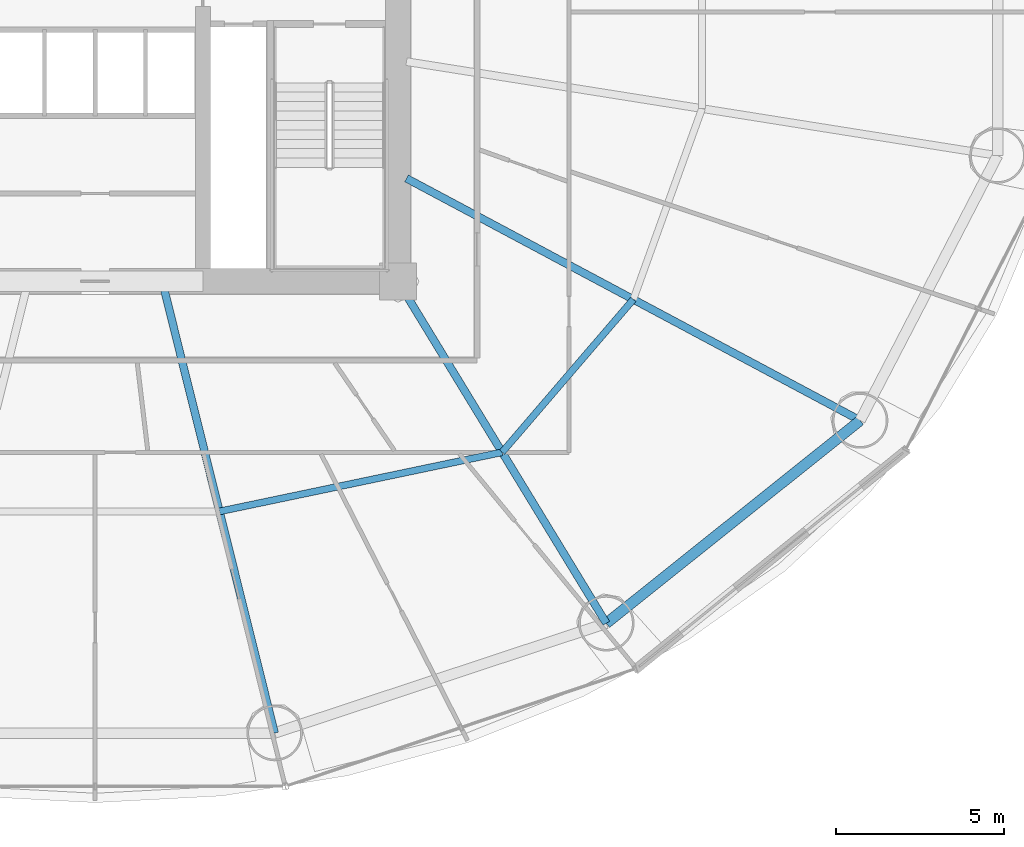
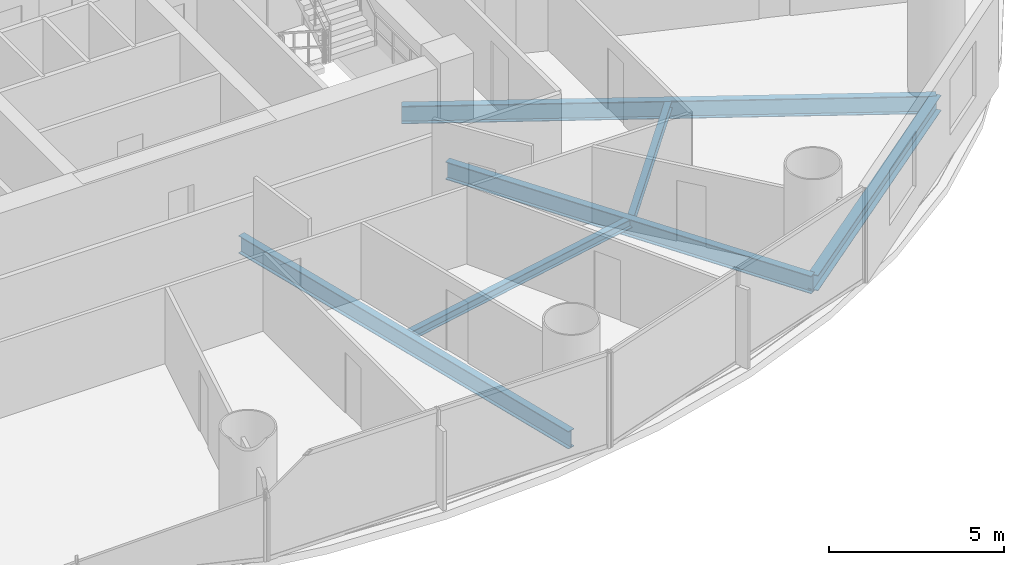
# One storey, part 12 of 30: 6 beams.
"""IFC4 building model written with IfcOpenShell, lengths in metres."""

from ifc_helpers import new_model, si_unit, direction, frame, origin, origin_2d, place, context, subcontext, project, spatial, i_section, extrude, material, material_profile, profile_set, type_object, element, save


model = new_model("IFC4")

# Units and contexts
model_context = context("Model", 3, precision=1e-05, world=origin(), true_north=direction((-0.2419218956, 0.970295726276)))
body_context = subcontext(model_context, "Body", "Model", "MODEL_VIEW")
ifc_project = project(units=[si_unit("LENGTHUNIT", "METRE"), si_unit("AREAUNIT", "SQUARE_METRE"), si_unit("VOLUMEUNIT", "CUBIC_METRE"), si_unit("PLANEANGLEUNIT", "RADIAN"), si_unit("MASSUNIT", "GRAM", prefix="KILO")], contexts=[model_context])

# Site, building, storey
site_placement = place(None, origin())
site = spatial("IfcSite", under=ifc_project, at=site_placement, CompositionType="ELEMENT")
building_placement = place(site_placement, origin())
building = spatial("IfcBuilding", under=site, at=building_placement, Name="Cobrevalo Terracotta Tower", CompositionType="ELEMENT")
storey_placement = place(building_placement, frame((0.0, 0.0, 60.0)))
storey = spatial("IfcBuildingStorey", under=building, at=storey_placement, Name="L15", CompositionType="ELEMENT", Elevation=60.0)

# Beams
ifc_material = material(Name="Steel S355", Category="steel")
ifc_material_profile_1 = material_profile(ifc_material, i_section(OverallWidth=0.22998046875, OverallDepth=0.616943359375, WebThickness=0.01318359375, FlangeThickness=0.022216796875, at=origin_2d()), Name="W 610x140")
ifc_profile_set_1 = profile_set([ifc_material_profile_1], Name="Steel S355")
beam_type_1 = type_object("IfcBeamType", Name="Structural Beam W 610x140 (Steel S355)", PredefinedType="BEAM", material=ifc_profile_set_1)
beam_1_placement = place(storey_placement, frame((43.335693359375, 5.369873046875, -0.58837890625), z_axis=(-0.241600470374, 0.970375810042, 0.0), x_axis=(-0.970375810042, -0.241600470374, 0.0)))
element("IfcBeam", 1, at=beam_1_placement, inside=storey, type_object=beam_type_1, Name="L15 radial floor girder 13", PredefinedType="BEAM", context=body_context, shape_type="SweptSolid", body=[
    extrude(i_section(OverallWidth=0.22998046875, OverallDepth=0.616943359375, WebThickness=0.01318359375, FlangeThickness=0.022216796875, at=origin_2d()), origin(), (0.0, 0.0, 1.0), 13.5771484375),
])
beam_2_placement = place(storey_placement, frame((53.19482421875, 8.63232421875, -0.58837890625), z_axis=(-0.520300780853, 0.853983077961, 0.0), x_axis=(-0.853983077961, -0.520300780853, 0.0)))
element("IfcBeam", 2, at=beam_2_placement, inside=storey, type_object=beam_type_1, Name="L15 radial floor girder 14", PredefinedType="BEAM", context=body_context, shape_type="SweptSolid", body=[
    extrude(i_section(OverallWidth=0.22998046875, OverallDepth=0.616943359375, WebThickness=0.01318359375, FlangeThickness=0.022216796875, at=origin_2d()), origin(), (0.0, 0.0, 1.0), 11.90625),
])
beam_3_placement = place(storey_placement, frame((60.74072265625, 14.660888671875, -0.58837890625), z_axis=(-0.88218223571, 0.470908168329, 0.0), x_axis=(-0.470908168329, -0.88218223571, 0.0)))
element("IfcBeam", 3, at=beam_3_placement, inside=storey, type_object=beam_type_1, Name="L15 radial floor girder 15", PredefinedType="BEAM", context=body_context, shape_type="SweptSolid", body=[
    extrude(i_section(OverallWidth=0.22998046875, OverallDepth=0.616943359375, WebThickness=0.01318359375, FlangeThickness=0.022216796875, at=origin_2d()), origin(), (0.0, 0.0, 1.0), 15.286865234375),
])
ifc_material_profile_2 = material_profile(ifc_material, i_section(OverallWidth=0.2041015625, OverallDepth=0.305908203125, WebThickness=0.008544921875, FlangeThickness=0.0146484375, at=origin_2d()), Name="W 310x67")
ifc_profile_set_2 = profile_set([ifc_material_profile_2], Name="Steel S355")
beam_type_2 = type_object("IfcBeamType", Name="Structural Joist W 310x67 (Steel S355)", PredefinedType="JOIST", material=ifc_profile_set_2)
beam_4_placement = place(storey_placement, frame((41.695556640625, 11.95751953125, -0.43310546875), z_axis=(0.978784523904, 0.204892302848, 0.0), x_axis=(-0.204892302848, 0.978784523904, 0.0)))
element("IfcBeam", 4, at=beam_4_placement, inside=storey, type_object=beam_type_2, Name="L15 circumferential secondary floor joist 13", PredefinedType="JOIST", context=body_context, shape_type="SweptSolid", body=[
    extrude(i_section(OverallWidth=0.2041015625, OverallDepth=0.305908203125, WebThickness=0.008544921875, FlangeThickness=0.0146484375, at=origin_2d()), origin(), (0.0, 0.0, 1.0), 8.583984375),
])
beam_5_placement = place(storey_placement, frame((50.097412109375, 13.71630859375, -0.43310546875), z_axis=(0.651328404454, 0.758795960421, 0.0), x_axis=(-0.758795960421, 0.651328404454, 0.0)))
element("IfcBeam", 5, at=beam_5_placement, inside=storey, type_object=beam_type_2, Name="L15 circumferential secondary floor joist 14", PredefinedType="JOIST", context=body_context, shape_type="SweptSolid", body=[
    extrude(i_section(OverallWidth=0.2041015625, OverallDepth=0.305908203125, WebThickness=0.008544921875, FlangeThickness=0.0146484375, at=origin_2d()), origin(), (0.0, 0.0, 1.0), 5.98828125),
])
ifc_material_profile_3 = material_profile(ifc_material, i_section(OverallWidth=0.31201171875, OverallDepth=0.54296875, WebThickness=0.0126953125, FlangeThickness=0.020263671875, at=origin_2d()), Name="W 530x150")
ifc_profile_set_3 = profile_set([ifc_material_profile_3], Name="Steel S355")
beam_type_3 = type_object("IfcBeamType", Name="Structural Spandrel W 530x150 (Steel S355)", PredefinedType="SPANDREL", material=ifc_profile_set_3)
beam_6_placement = place(storey_placement, frame((53.19482421875, 8.63232421875, -0.551513671875), z_axis=(0.781280479891, 0.62418011162, 0.0), x_axis=(-0.62418011162, 0.781280479891, 0.0)))
element("IfcBeam", 6, at=beam_6_placement, inside=storey, type_object=beam_type_3, Name="L15 perimeter ring spandrel 14", PredefinedType="SPANDREL", context=body_context, shape_type="SweptSolid", body=[
    extrude(i_section(OverallWidth=0.31201171875, OverallDepth=0.54296875, WebThickness=0.0126953125, FlangeThickness=0.020263671875, at=origin_2d()), origin(), (0.0, 0.0, 1.0), 9.658447265625),
])

save(model, "model.ifc")
